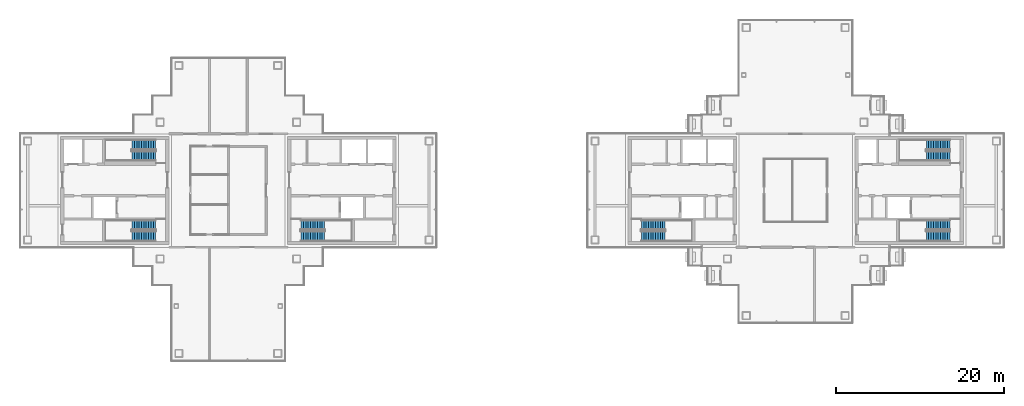
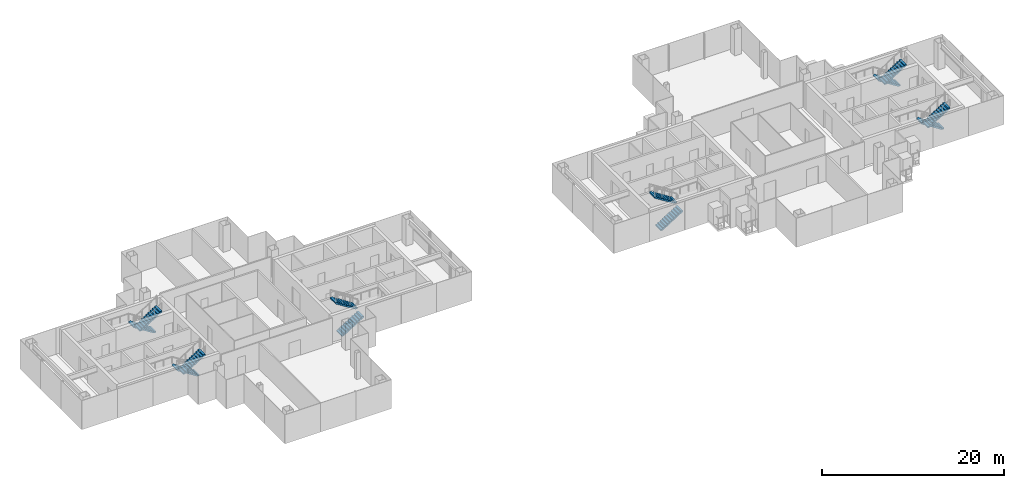
# One storey, part 13 of 16: 12 stair flights, 6 elements without a shape of their own.
"""IFC4 building model written with IfcOpenShell, lengths in metres."""

from ifc_helpers import new_model, si_unit, direction, frame, origin, place, context, subcontext, project, spatial, polyline, outline, extrude, material, type_object, element, aggregate, save


model = new_model("IFC4")

# Units and contexts
model_context = context("Model", 3, precision=1e-05, world=origin(), true_north=direction((0.0, 1.0)))
body_context = subcontext(model_context, "Body", "Model", "MODEL_VIEW")
ifc_project = project(units=[si_unit("LENGTHUNIT", "METRE"), si_unit("AREAUNIT", "SQUARE_METRE"), si_unit("VOLUMEUNIT", "CUBIC_METRE"), si_unit("PLANEANGLEUNIT", "RADIAN"), si_unit("MASSUNIT", "GRAM", prefix="KILO")], contexts=[model_context])

# Site, building, storey
site_placement = place(None, origin())
site = spatial("IfcSite", under=ifc_project, at=site_placement, CompositionType="ELEMENT")
building_placement = place(site_placement, origin())
building = spatial("IfcBuilding", under=site, at=building_placement, Name="Shamsa Quay Exchange Towers", CompositionType="ELEMENT")
storey_placement = place(building_placement, frame((0.0, 0.0, 242.10009765625)))
storey = spatial("IfcBuildingStorey", under=building, at=storey_placement, Name="L58", CompositionType="ELEMENT", Elevation=242.10009765625)

# Stair, stair flights
ifc_material = material(Name="Concrete C40/50", Category="concrete")
stair_type = type_object("IfcStairType", Name="EXIT STAIR 22 RISERS 177 MM", PredefinedType="HALF_TURN_STAIR", material=ifc_material)
stair_1_placement = place(storey_placement, origin())
stair_1 = element("IfcStair", 1, at=stair_1_placement, inside=storey, type_object=stair_type, Name="L58 Exit stair ST1", PredefinedType="HALF_TURN_STAIR")
stair_flight_type = type_object("IfcStairFlightType", Name="EXIT STAIR FLIGHT 11 RISERS 177 MM", PredefinedType="STRAIGHT", material=ifc_material)
stair_flight_1_placement = place(storey_placement, frame((-25.10009765625, -5.449951171875, 0.0)))
stair_flight_1 = element("IfcStairFlight", 2, at=stair_flight_1_placement, type_object=stair_flight_type, Name="ST1 flight 1", NumberOfRisers=11, NumberOfTreads=10, PredefinedType="STRAIGHT", RiserHeight=0.177272727, TreadLength=0.28, context=body_context, shape_type="SweptSolid", body=[
    extrude(outline(polyline([(0.0, 0.0), (0.0, 0.17724609375), (0.280029296875, 0.17724609375), (0.280029296875, 0.3544921875), (0.56005859375, 0.3544921875), (0.56005859375, 0.53173828125), (0.840087890625, 0.53173828125), (0.840087890625, 0.708984375), (1.1201171875, 0.708984375), (1.1201171875, 0.886474609375), (1.39990234375, 0.886474609375), (1.39990234375, 1.063720703125), (1.679931640625, 1.063720703125), (1.679931640625, 1.240966796875), (1.9599609375, 1.240966796875), (1.9599609375, 1.418212890625), (2.239990234375, 1.418212890625), (2.239990234375, 1.595458984375), (2.52001953125, 1.595458984375), (2.52001953125, 1.772705078125), (2.800048828125, 1.772705078125), (2.800048828125, 1.949951171875), (2.800048828125, 1.607177734375), (0.261474609375, 0.0), (0.0, 0.0)])), frame((0.0, 0.60009765625, 0.0), z_axis=(0.0, -1.0, 0.0), x_axis=(1.0, 0.0, 0.0)), (0.0, 0.0, 1.0), 1.199951171875),
])
stair_flight_2_placement = place(storey_placement, frame((-22.300048828125, -4.10009765625, 1.949951171875), z_axis=(0.0, 0.0, 1.0), x_axis=(-1.0, 0.0, 0.0)))
stair_flight_2 = element("IfcStairFlight", 3, at=stair_flight_2_placement, type_object=stair_flight_type, Name="ST1 flight 2", NumberOfRisers=11, NumberOfTreads=10, PredefinedType="STRAIGHT", RiserHeight=0.177272727, TreadLength=0.28, context=body_context, shape_type="SweptSolid", body=[
    extrude(outline(polyline([(0.0, 0.0), (0.0, 0.17724609375), (0.280029296875, 0.17724609375), (0.280029296875, 0.3544921875), (0.56005859375, 0.3544921875), (0.56005859375, 0.53173828125), (0.840087890625, 0.53173828125), (0.840087890625, 0.708984375), (1.1201171875, 0.708984375), (1.1201171875, 0.886474609375), (1.39990234375, 0.886474609375), (1.39990234375, 1.063720703125), (1.679931640625, 1.063720703125), (1.679931640625, 1.240966796875), (1.9599609375, 1.240966796875), (1.9599609375, 1.418212890625), (2.239990234375, 1.418212890625), (2.239990234375, 1.595458984375), (2.52001953125, 1.595458984375), (2.52001953125, 1.772705078125), (2.800048828125, 1.772705078125), (2.800048828125, 1.949951171875), (2.800048828125, 1.607177734375), (0.261474609375, 0.0), (0.0, 0.0)])), frame((0.0, 0.60009765625, 0.0), z_axis=(0.0, -1.0, 0.0), x_axis=(1.0, 0.0, 0.0)), (0.0, 0.0, 1.0), 1.199951171875),
])
aggregate(stair_1, [stair_flight_1, stair_flight_2])

stair_2_placement = place(storey_placement, origin())
stair_2 = element("IfcStair", 4, at=stair_2_placement, inside=storey, type_object=stair_type, Name="L58 Exit stair ST2", PredefinedType="HALF_TURN_STAIR")
stair_flight_3_placement = place(storey_placement, frame((-42.39990234375, -4.10009765625, 0.0), z_axis=(0.0, 0.0, 1.0), x_axis=(-1.0, 0.0, 0.0)))
stair_flight_3 = element("IfcStairFlight", 5, at=stair_flight_3_placement, type_object=stair_flight_type, Name="ST2 flight 1", NumberOfRisers=11, NumberOfTreads=10, PredefinedType="STRAIGHT", RiserHeight=0.177272727, TreadLength=0.28, context=body_context, shape_type="SweptSolid", body=[
    extrude(outline(polyline([(0.0, 0.0), (0.0, 0.17724609375), (0.280029296875, 0.17724609375), (0.280029296875, 0.3544921875), (0.56005859375, 0.3544921875), (0.56005859375, 0.53173828125), (0.840087890625, 0.53173828125), (0.840087890625, 0.708984375), (1.1201171875, 0.708984375), (1.1201171875, 0.886474609375), (1.39990234375, 0.886474609375), (1.39990234375, 1.063720703125), (1.679931640625, 1.063720703125), (1.679931640625, 1.240966796875), (1.9599609375, 1.240966796875), (1.9599609375, 1.418212890625), (2.239990234375, 1.418212890625), (2.239990234375, 1.595458984375), (2.52001953125, 1.595458984375), (2.52001953125, 1.772705078125), (2.800048828125, 1.772705078125), (2.800048828125, 1.949951171875), (2.800048828125, 1.607177734375), (0.261474609375, 0.0), (0.0, 0.0)])), frame((0.0, 0.60009765625, 0.0), z_axis=(0.0, -1.0, 0.0), x_axis=(1.0, 0.0, 0.0)), (0.0, 0.0, 1.0), 1.199951171875),
])
stair_flight_4_placement = place(storey_placement, frame((-45.199951171875, -5.449951171875, 1.949951171875)))
stair_flight_4 = element("IfcStairFlight", 6, at=stair_flight_4_placement, type_object=stair_flight_type, Name="ST2 flight 2", NumberOfRisers=11, NumberOfTreads=10, PredefinedType="STRAIGHT", RiserHeight=0.177272727, TreadLength=0.28, context=body_context, shape_type="SweptSolid", body=[
    extrude(outline(polyline([(0.0, 0.0), (0.0, 0.17724609375), (0.280029296875, 0.17724609375), (0.280029296875, 0.3544921875), (0.56005859375, 0.3544921875), (0.56005859375, 0.53173828125), (0.840087890625, 0.53173828125), (0.840087890625, 0.708984375), (1.1201171875, 0.708984375), (1.1201171875, 0.886474609375), (1.39990234375, 0.886474609375), (1.39990234375, 1.063720703125), (1.679931640625, 1.063720703125), (1.679931640625, 1.240966796875), (1.9599609375, 1.240966796875), (1.9599609375, 1.418212890625), (2.239990234375, 1.418212890625), (2.239990234375, 1.595458984375), (2.52001953125, 1.595458984375), (2.52001953125, 1.772705078125), (2.800048828125, 1.772705078125), (2.800048828125, 1.949951171875), (2.800048828125, 1.607177734375), (0.261474609375, 0.0), (0.0, 0.0)])), frame((0.0, 0.60009765625, 0.0), z_axis=(0.0, -1.0, 0.0), x_axis=(1.0, 0.0, 0.0)), (0.0, 0.0, 1.0), 1.199951171875),
])
aggregate(stair_2, [stair_flight_3, stair_flight_4])

stair_3_placement = place(storey_placement, origin())
stair_3 = element("IfcStair", 7, at=stair_3_placement, inside=storey, type_object=stair_type, Name="L58 Exit stair ST3", PredefinedType="HALF_TURN_STAIR")
stair_flight_5_placement = place(storey_placement, frame((-42.39990234375, 5.449951171875, 0.0), z_axis=(0.0, 0.0, 1.0), x_axis=(-1.0, 0.0, 0.0)))
stair_flight_5 = element("IfcStairFlight", 8, at=stair_flight_5_placement, type_object=stair_flight_type, Name="ST3 flight 1", NumberOfRisers=11, NumberOfTreads=10, PredefinedType="STRAIGHT", RiserHeight=0.177272727, TreadLength=0.28, context=body_context, shape_type="SweptSolid", body=[
    extrude(outline(polyline([(0.0, 0.0), (0.0, 0.17724609375), (0.280029296875, 0.17724609375), (0.280029296875, 0.3544921875), (0.56005859375, 0.3544921875), (0.56005859375, 0.53173828125), (0.840087890625, 0.53173828125), (0.840087890625, 0.708984375), (1.1201171875, 0.708984375), (1.1201171875, 0.886474609375), (1.39990234375, 0.886474609375), (1.39990234375, 1.063720703125), (1.679931640625, 1.063720703125), (1.679931640625, 1.240966796875), (1.9599609375, 1.240966796875), (1.9599609375, 1.418212890625), (2.239990234375, 1.418212890625), (2.239990234375, 1.595458984375), (2.52001953125, 1.595458984375), (2.52001953125, 1.772705078125), (2.800048828125, 1.772705078125), (2.800048828125, 1.949951171875), (2.800048828125, 1.607177734375), (0.261474609375, 0.0), (0.0, 0.0)])), frame((0.0, 0.60009765625, 0.0), z_axis=(0.0, -1.0, 0.0), x_axis=(1.0, 0.0, 0.0)), (0.0, 0.0, 1.0), 1.199951171875),
])
stair_flight_6_placement = place(storey_placement, frame((-45.199951171875, 4.10009765625, 1.949951171875)))
stair_flight_6 = element("IfcStairFlight", 9, at=stair_flight_6_placement, type_object=stair_flight_type, Name="ST3 flight 2", NumberOfRisers=11, NumberOfTreads=10, PredefinedType="STRAIGHT", RiserHeight=0.177272727, TreadLength=0.28, context=body_context, shape_type="SweptSolid", body=[
    extrude(outline(polyline([(0.0, 0.0), (0.0, 0.17724609375), (0.280029296875, 0.17724609375), (0.280029296875, 0.3544921875), (0.56005859375, 0.3544921875), (0.56005859375, 0.53173828125), (0.840087890625, 0.53173828125), (0.840087890625, 0.708984375), (1.1201171875, 0.708984375), (1.1201171875, 0.886474609375), (1.39990234375, 0.886474609375), (1.39990234375, 1.063720703125), (1.679931640625, 1.063720703125), (1.679931640625, 1.240966796875), (1.9599609375, 1.240966796875), (1.9599609375, 1.418212890625), (2.239990234375, 1.418212890625), (2.239990234375, 1.595458984375), (2.52001953125, 1.595458984375), (2.52001953125, 1.772705078125), (2.800048828125, 1.772705078125), (2.800048828125, 1.949951171875), (2.800048828125, 1.607177734375), (0.261474609375, 0.0), (0.0, 0.0)])), frame((0.0, 0.60009765625, 0.0), z_axis=(0.0, -1.0, 0.0), x_axis=(1.0, 0.0, 0.0)), (0.0, 0.0, 1.0), 1.199951171875),
])
aggregate(stair_3, [stair_flight_5, stair_flight_6])

stair_4_placement = place(storey_placement, origin())
stair_4 = element("IfcStair", 10, at=stair_4_placement, inside=storey, type_object=stair_type, Name="L58 Exit stair ST4", PredefinedType="HALF_TURN_STAIR")
stair_flight_7_placement = place(storey_placement, frame((15.39990234375, -5.449951171875, 0.0)))
stair_flight_7 = element("IfcStairFlight", 11, at=stair_flight_7_placement, type_object=stair_flight_type, Name="ST4 flight 1", NumberOfRisers=11, NumberOfTreads=10, PredefinedType="STRAIGHT", RiserHeight=0.177272727, TreadLength=0.28, context=body_context, shape_type="SweptSolid", body=[
    extrude(outline(polyline([(0.0, 0.0), (0.0, 0.17724609375), (0.280029296875, 0.17724609375), (0.280029296875, 0.3544921875), (0.56005859375, 0.3544921875), (0.56005859375, 0.53173828125), (0.840087890625, 0.53173828125), (0.840087890625, 0.708984375), (1.1201171875, 0.708984375), (1.1201171875, 0.886474609375), (1.39990234375, 0.886474609375), (1.39990234375, 1.063720703125), (1.679931640625, 1.063720703125), (1.679931640625, 1.240966796875), (1.9599609375, 1.240966796875), (1.9599609375, 1.418212890625), (2.239990234375, 1.418212890625), (2.239990234375, 1.595458984375), (2.52001953125, 1.595458984375), (2.52001953125, 1.772705078125), (2.800048828125, 1.772705078125), (2.800048828125, 1.949951171875), (2.800048828125, 1.607177734375), (0.261474609375, 0.0), (0.0, 0.0)])), frame((0.0, 0.60009765625, 0.0), z_axis=(0.0, -1.0, 0.0), x_axis=(1.0, 0.0, 0.0)), (0.0, 0.0, 1.0), 1.199951171875),
])
stair_flight_8_placement = place(storey_placement, frame((18.199951171875, -4.10009765625, 1.949951171875), z_axis=(0.0, 0.0, 1.0), x_axis=(-1.0, 0.0, 0.0)))
stair_flight_8 = element("IfcStairFlight", 12, at=stair_flight_8_placement, type_object=stair_flight_type, Name="ST4 flight 2", NumberOfRisers=11, NumberOfTreads=10, PredefinedType="STRAIGHT", RiserHeight=0.177272727, TreadLength=0.28, context=body_context, shape_type="SweptSolid", body=[
    extrude(outline(polyline([(0.0, 0.0), (0.0, 0.17724609375), (0.280029296875, 0.17724609375), (0.280029296875, 0.3544921875), (0.56005859375, 0.3544921875), (0.56005859375, 0.53173828125), (0.840087890625, 0.53173828125), (0.840087890625, 0.708984375), (1.1201171875, 0.708984375), (1.1201171875, 0.886474609375), (1.39990234375, 0.886474609375), (1.39990234375, 1.063720703125), (1.679931640625, 1.063720703125), (1.679931640625, 1.240966796875), (1.9599609375, 1.240966796875), (1.9599609375, 1.418212890625), (2.239990234375, 1.418212890625), (2.239990234375, 1.595458984375), (2.52001953125, 1.595458984375), (2.52001953125, 1.772705078125), (2.800048828125, 1.772705078125), (2.800048828125, 1.949951171875), (2.800048828125, 1.607177734375), (0.261474609375, 0.0), (0.0, 0.0)])), frame((0.0, 0.60009765625, 0.0), z_axis=(0.0, -1.0, 0.0), x_axis=(1.0, 0.0, 0.0)), (0.0, 0.0, 1.0), 1.199951171875),
])
aggregate(stair_4, [stair_flight_7, stair_flight_8])

stair_5_placement = place(storey_placement, origin())
stair_5 = element("IfcStair", 13, at=stair_5_placement, inside=storey, type_object=stair_type, Name="L58 Exit stair ST5", PredefinedType="HALF_TURN_STAIR")
stair_flight_9_placement = place(storey_placement, frame((52.10009765625, -4.10009765625, 0.0), z_axis=(0.0, 0.0, 1.0), x_axis=(-1.0, 0.0, 0.0)))
stair_flight_9 = element("IfcStairFlight", 14, at=stair_flight_9_placement, type_object=stair_flight_type, Name="ST5 flight 1", NumberOfRisers=11, NumberOfTreads=10, PredefinedType="STRAIGHT", RiserHeight=0.177272727, TreadLength=0.28, context=body_context, shape_type="SweptSolid", body=[
    extrude(outline(polyline([(0.0, 0.0), (0.0, 0.17724609375), (0.280029296875, 0.17724609375), (0.280029296875, 0.3544921875), (0.56005859375, 0.3544921875), (0.56005859375, 0.53173828125), (0.840087890625, 0.53173828125), (0.840087890625, 0.708984375), (1.1201171875, 0.708984375), (1.1201171875, 0.886474609375), (1.39990234375, 0.886474609375), (1.39990234375, 1.063720703125), (1.679931640625, 1.063720703125), (1.679931640625, 1.240966796875), (1.9599609375, 1.240966796875), (1.9599609375, 1.418212890625), (2.239990234375, 1.418212890625), (2.239990234375, 1.595458984375), (2.52001953125, 1.595458984375), (2.52001953125, 1.772705078125), (2.800048828125, 1.772705078125), (2.800048828125, 1.949951171875), (2.800048828125, 1.607177734375), (0.261474609375, 0.0), (0.0, 0.0)])), frame((0.0, 0.60009765625, 0.0), z_axis=(0.0, -1.0, 0.0), x_axis=(1.0, 0.0, 0.0)), (0.0, 0.0, 1.0), 1.199951171875),
])
stair_flight_10_placement = place(storey_placement, frame((49.300048828125, -5.449951171875, 1.949951171875)))
stair_flight_10 = element("IfcStairFlight", 15, at=stair_flight_10_placement, type_object=stair_flight_type, Name="ST5 flight 2", NumberOfRisers=11, NumberOfTreads=10, PredefinedType="STRAIGHT", RiserHeight=0.177272727, TreadLength=0.28, context=body_context, shape_type="SweptSolid", body=[
    extrude(outline(polyline([(0.0, 0.0), (0.0, 0.17724609375), (0.280029296875, 0.17724609375), (0.280029296875, 0.3544921875), (0.56005859375, 0.3544921875), (0.56005859375, 0.53173828125), (0.840087890625, 0.53173828125), (0.840087890625, 0.708984375), (1.1201171875, 0.708984375), (1.1201171875, 0.886474609375), (1.39990234375, 0.886474609375), (1.39990234375, 1.063720703125), (1.679931640625, 1.063720703125), (1.679931640625, 1.240966796875), (1.9599609375, 1.240966796875), (1.9599609375, 1.418212890625), (2.239990234375, 1.418212890625), (2.239990234375, 1.595458984375), (2.52001953125, 1.595458984375), (2.52001953125, 1.772705078125), (2.800048828125, 1.772705078125), (2.800048828125, 1.949951171875), (2.800048828125, 1.607177734375), (0.261474609375, 0.0), (0.0, 0.0)])), frame((0.0, 0.60009765625, 0.0), z_axis=(0.0, -1.0, 0.0), x_axis=(1.0, 0.0, 0.0)), (0.0, 0.0, 1.0), 1.199951171875),
])
aggregate(stair_5, [stair_flight_9, stair_flight_10])

stair_6_placement = place(storey_placement, origin())
stair_6 = element("IfcStair", 16, at=stair_6_placement, inside=storey, type_object=stair_type, Name="L58 Exit stair ST6", PredefinedType="HALF_TURN_STAIR")
stair_flight_11_placement = place(storey_placement, frame((52.10009765625, 5.449951171875, 0.0), z_axis=(0.0, 0.0, 1.0), x_axis=(-1.0, 0.0, 0.0)))
stair_flight_11 = element("IfcStairFlight", 17, at=stair_flight_11_placement, type_object=stair_flight_type, Name="ST6 flight 1", NumberOfRisers=11, NumberOfTreads=10, PredefinedType="STRAIGHT", RiserHeight=0.177272727, TreadLength=0.28, context=body_context, shape_type="SweptSolid", body=[
    extrude(outline(polyline([(0.0, 0.0), (0.0, 0.17724609375), (0.280029296875, 0.17724609375), (0.280029296875, 0.3544921875), (0.56005859375, 0.3544921875), (0.56005859375, 0.53173828125), (0.840087890625, 0.53173828125), (0.840087890625, 0.708984375), (1.1201171875, 0.708984375), (1.1201171875, 0.886474609375), (1.39990234375, 0.886474609375), (1.39990234375, 1.063720703125), (1.679931640625, 1.063720703125), (1.679931640625, 1.240966796875), (1.9599609375, 1.240966796875), (1.9599609375, 1.418212890625), (2.239990234375, 1.418212890625), (2.239990234375, 1.595458984375), (2.52001953125, 1.595458984375), (2.52001953125, 1.772705078125), (2.800048828125, 1.772705078125), (2.800048828125, 1.949951171875), (2.800048828125, 1.607177734375), (0.261474609375, 0.0), (0.0, 0.0)])), frame((0.0, 0.60009765625, 0.0), z_axis=(0.0, -1.0, 0.0), x_axis=(1.0, 0.0, 0.0)), (0.0, 0.0, 1.0), 1.199951171875),
])
stair_flight_12_placement = place(storey_placement, frame((49.300048828125, 4.10009765625, 1.949951171875)))
stair_flight_12 = element("IfcStairFlight", 18, at=stair_flight_12_placement, type_object=stair_flight_type, Name="ST6 flight 2", NumberOfRisers=11, NumberOfTreads=10, PredefinedType="STRAIGHT", RiserHeight=0.177272727, TreadLength=0.28, context=body_context, shape_type="SweptSolid", body=[
    extrude(outline(polyline([(0.0, 0.0), (0.0, 0.17724609375), (0.280029296875, 0.17724609375), (0.280029296875, 0.3544921875), (0.56005859375, 0.3544921875), (0.56005859375, 0.53173828125), (0.840087890625, 0.53173828125), (0.840087890625, 0.708984375), (1.1201171875, 0.708984375), (1.1201171875, 0.886474609375), (1.39990234375, 0.886474609375), (1.39990234375, 1.063720703125), (1.679931640625, 1.063720703125), (1.679931640625, 1.240966796875), (1.9599609375, 1.240966796875), (1.9599609375, 1.418212890625), (2.239990234375, 1.418212890625), (2.239990234375, 1.595458984375), (2.52001953125, 1.595458984375), (2.52001953125, 1.772705078125), (2.800048828125, 1.772705078125), (2.800048828125, 1.949951171875), (2.800048828125, 1.607177734375), (0.261474609375, 0.0), (0.0, 0.0)])), frame((0.0, 0.60009765625, 0.0), z_axis=(0.0, -1.0, 0.0), x_axis=(1.0, 0.0, 0.0)), (0.0, 0.0, 1.0), 1.199951171875),
])
aggregate(stair_6, [stair_flight_11, stair_flight_12])

save(model, "model.ifc")
